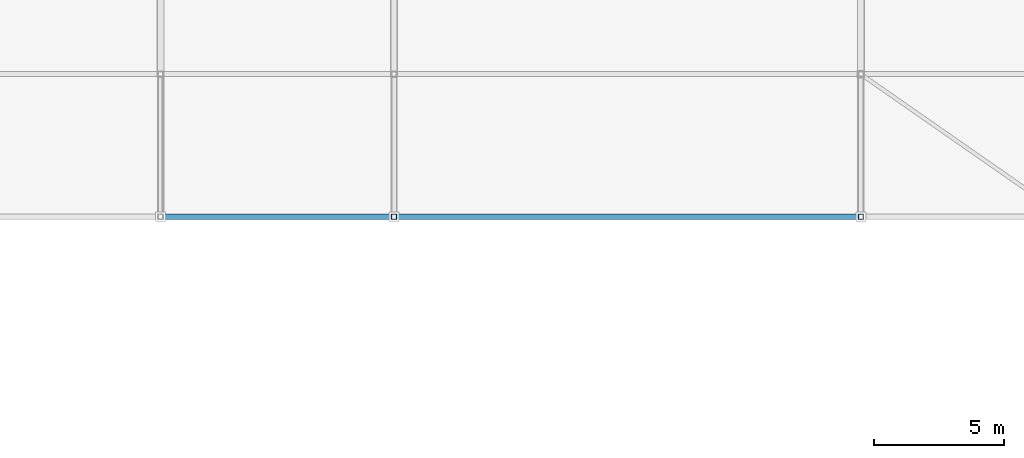
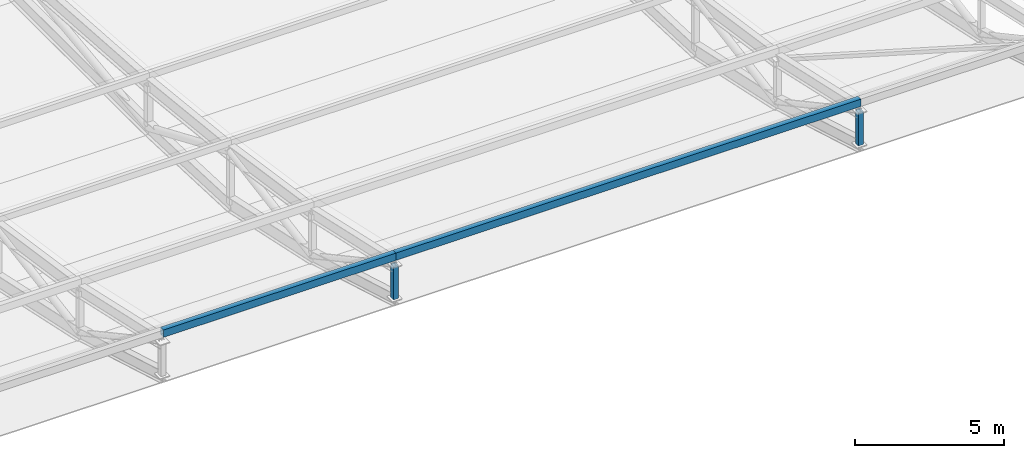
# One storey, part 58 of 114: 4 members.
"""IFC4 building model written with IfcOpenShell, lengths in metres."""

from ifc_helpers import new_model, si_unit, direction, frame, origin, origin_2d, place, context, subcontext, project, spatial, hollow_rectangle, extrude, material, material_profile, profile_set, type_object, element, save


model = new_model("IFC4")

# Units and contexts
model_context = context("Model", 3, precision=1e-05, world=origin(), true_north=direction((0.0, 1.0)))
body_context = subcontext(model_context, "Body", "Model", "MODEL_VIEW")
ifc_project = project(units=[si_unit("LENGTHUNIT", "METRE"), si_unit("AREAUNIT", "SQUARE_METRE"), si_unit("VOLUMEUNIT", "CUBIC_METRE"), si_unit("PLANEANGLEUNIT", "RADIAN"), si_unit("MASSUNIT", "GRAM", prefix="KILO"), si_unit("THERMODYNAMICTEMPERATUREUNIT", "KELVIN"), si_unit("POWERUNIT", "WATT")], contexts=[model_context])

# Site, building, storey
site_placement = place(None, origin())
site = spatial("IfcSite", under=ifc_project, at=site_placement, CompositionType="ELEMENT")
building_placement = place(site_placement, origin())
building = spatial("IfcBuilding", under=site, at=building_placement, Name="Sindhuravela Promenade Stadium", CompositionType="ELEMENT")
storey_placement = place(building_placement, frame((0.0, 0.0, 24.0)))
storey = spatial("IfcBuildingStorey", under=building, at=storey_placement, Name="L05", CompositionType="ELEMENT", Elevation=24.0)

# Members
ifc_material = material(Name="Steel E350 (IS 2062 E350BR)", Category="steel")
ifc_material_profile_1 = material_profile(ifc_material, hollow_rectangle(XDim=0.199951171875, YDim=0.300048828125, WallThickness=0.010009765625, at=origin_2d()), Name="RHS 300x200x10")
ifc_profile_set_1 = profile_set([ifc_material_profile_1], Name="Steel E350 (IS 2062 E350BR)")
member_type_1 = type_object("IfcMemberType", Name="ST-MB-RHS300", PredefinedType="PURLIN", material=ifc_profile_set_1)
member_1_placement = place(storey_placement, frame((126.0, 118.5, 4.76708984375), z_axis=(1.0, 0.0, 0.0), x_axis=(0.0, 1.0, 0.0)))
element("IfcMember", 1, at=member_1_placement, inside=storey, type_object=member_type_1, Name="Roof purlin PR02 N bay 6.6", PredefinedType="PURLIN", context=body_context, shape_type="SweptSolid", body=[
    extrude(hollow_rectangle(XDim=0.199951171875, YDim=0.300048828125, WallThickness=0.010009765625, at=origin_2d()), origin(), (0.0, 0.0, 1.0), 9.0),
])
member_2_placement = place(storey_placement, frame((135.0, 118.5, 4.76708984375), z_axis=(1.0, 0.0, 0.0), x_axis=(0.0, 1.0, 0.0)))
element("IfcMember", 2, at=member_2_placement, inside=storey, type_object=member_type_1, Name="Roof purlin PR02 N bay 7.6", PredefinedType="PURLIN", context=body_context, shape_type="SweptSolid", body=[
    extrude(hollow_rectangle(XDim=0.199951171875, YDim=0.300048828125, WallThickness=0.010009765625, at=origin_2d()), origin(), (0.0, 0.0, 1.0), 18.0),
])
ifc_material_profile_2 = material_profile(ifc_material, hollow_rectangle(XDim=0.199951171875, YDim=0.199951171875, WallThickness=0.010009765625, at=origin_2d()), Name="SHS 200x200x10")
ifc_profile_set_2 = profile_set([ifc_material_profile_2], Name="Steel E350 (IS 2062 E350BR)")
member_type_2 = type_object("IfcMemberType", Name="ST-MB-SHS200", PredefinedType="POST", material=ifc_profile_set_2)
for number, where, z_axis, x_axis, name in (
    (3, (135.0, 118.5, 3.02490234375), (0.0, 0.0, 1.0), (1.0, 0.0, 0.0), "Roof truss RT-N07 vertical post 6"),
    (4, (153.0, 118.5, 3.02490234375), (0.0, 0.0, 1.0), (1.0, 0.0, 0.0), "Roof truss RT-N08 vertical post 6"),
):
    element("IfcMember", number, at=place(storey_placement, frame(where, z_axis=z_axis, x_axis=x_axis)), inside=storey, type_object=member_type_2, Name=name, PredefinedType="POST", context=body_context, shape_type="SweptSolid", body=[
        extrude(hollow_rectangle(XDim=0.199951171875, YDim=0.199951171875, WallThickness=0.010009765625, at=origin_2d()), origin(), (0.0, 0.0, 1.0), 1.375),
    ])

save(model, "model.ifc")
